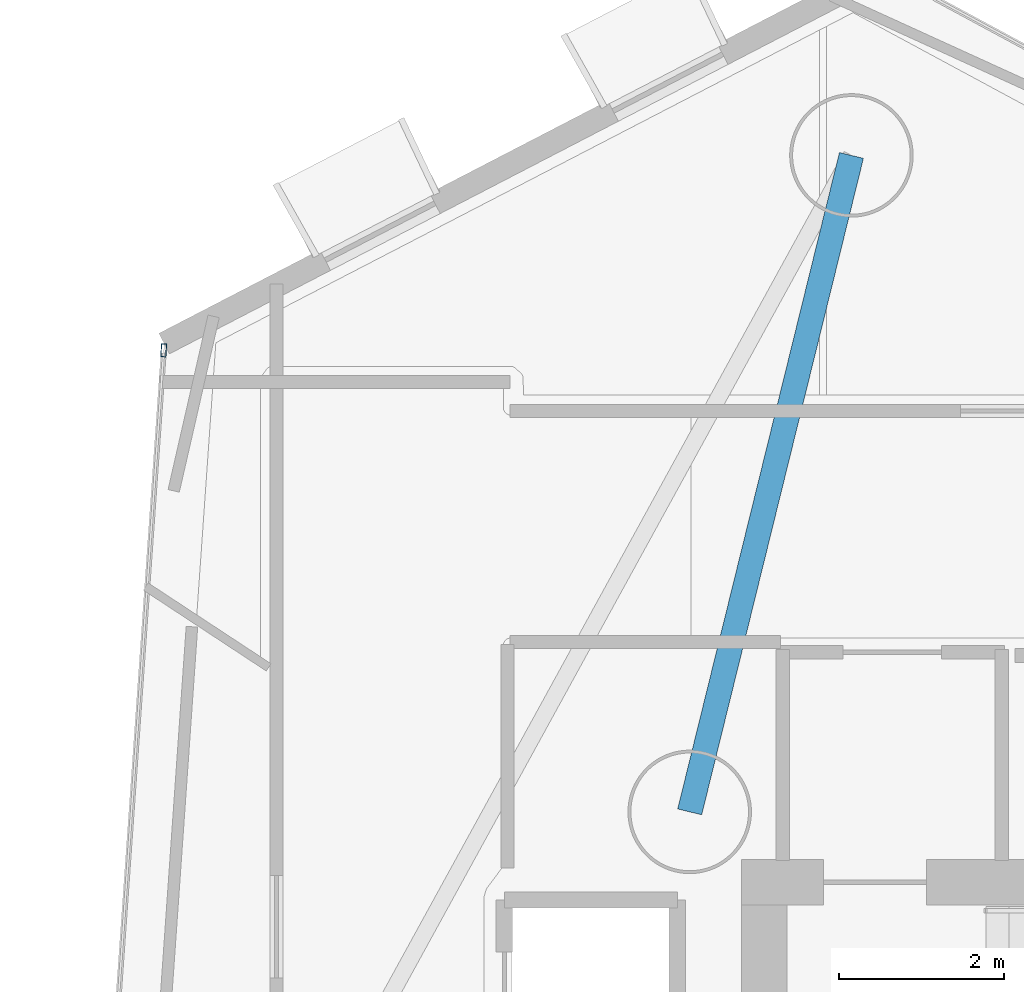
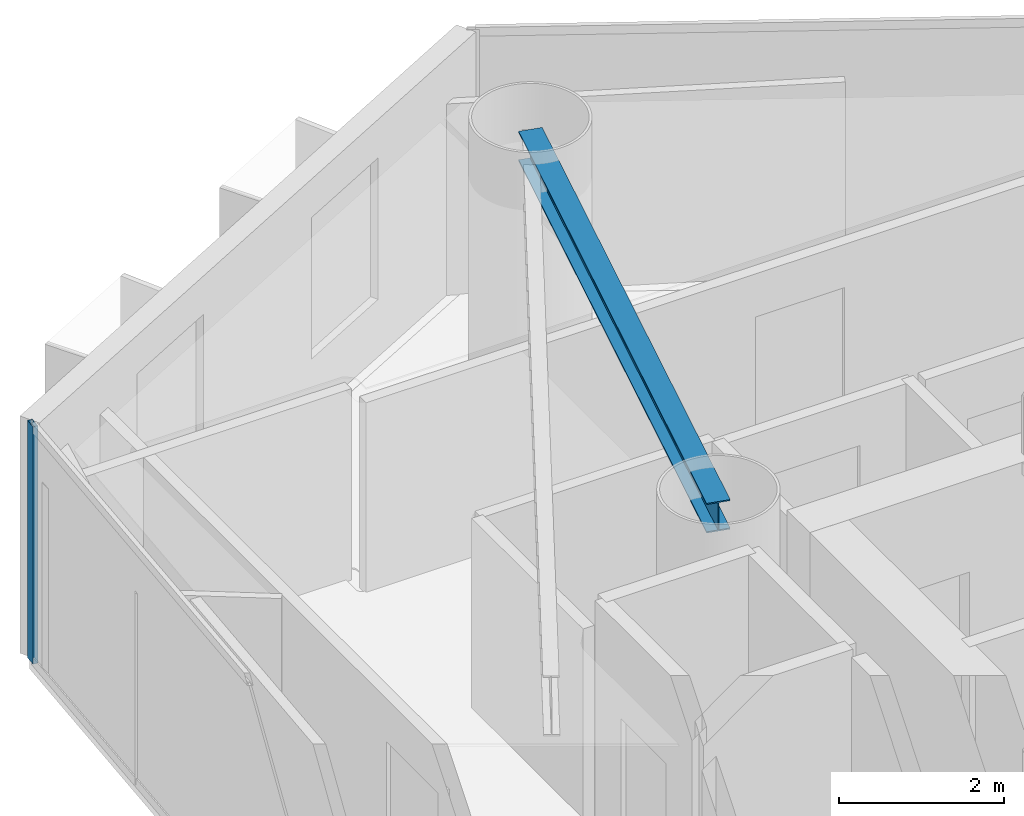
# One storey, part 9 of 21: 1 beam, 1 member, 1 element without a shape of its own.
"""IFC4 building model written with IfcOpenShell, lengths in metres."""

from ifc_helpers import new_model, si_unit, direction, frame, origin, origin_2d, place, context, subcontext, project, spatial, hollow_rectangle, i_section, extrude, material, layer, layer_set, material_profile, profile_set, type_object, element, aggregate, save


model = new_model("IFC4")

# Units and contexts
model_context = context("Model", 3, precision=1e-05, world=origin(), true_north=direction((0.0, 1.0)))
body_context = subcontext(model_context, "Body", "Model", "MODEL_VIEW")
ifc_project = project(units=[si_unit("LENGTHUNIT", "METRE"), si_unit("AREAUNIT", "SQUARE_METRE"), si_unit("VOLUMEUNIT", "CUBIC_METRE"), si_unit("PLANEANGLEUNIT", "RADIAN"), si_unit("MASSUNIT", "GRAM", prefix="KILO")], contexts=[model_context])

# Site, building, storey
site_placement = place(None, origin())
site = spatial("IfcSite", under=ifc_project, at=site_placement, CompositionType="ELEMENT")
building_placement = place(site_placement, origin())
building = spatial("IfcBuilding", under=site, at=building_placement, Name="Qianvela Tower", CompositionType="ELEMENT")
storey_placement = place(building_placement, frame((0.0, 0.0, 127.39990234375)))
storey = spatial("IfcBuildingStorey", under=building, at=storey_placement, Name="L32", CompositionType="ELEMENT", Elevation=127.39990234375)

# Beam
ifc_material_1 = material(Name="Steel Q355B", Category="steel")
ifc_material_profile_1 = material_profile(ifc_material_1, i_section(OverallWidth=0.300048828125, OverallDepth=0.43994140625, WebThickness=0.010986328125, FlangeThickness=0.01806640625, at=origin_2d()), Name="HM440x300x11x18")
ifc_profile_set_1 = profile_set([ifc_material_profile_1], Name="Steel Q355B")
beam_type = type_object("IfcBeamType", Name="BM-HM440-COLL", PredefinedType="BEAM", material=ifc_profile_set_1)
beam_placement = place(storey_placement, frame((28.60009765625, 33.550048828125, 3.298095703125), z_axis=(0.239224384232, 0.970964311388, 0.0), x_axis=(-0.970964311388, 0.239224384232, 0.0)))
element("IfcBeam", 1, at=beam_placement, inside=storey, type_object=beam_type, Name="L32 Perimeter Ring Tie Girder 2B", PredefinedType="BEAM", context=body_context, shape_type="SweptSolid", body=[
    extrude(i_section(OverallWidth=0.300048828125, OverallDepth=0.43994140625, WebThickness=0.010986328125, FlangeThickness=0.01806640625, at=origin_2d()), origin(), (0.0, 0.0, 1.0), 8.209228515625),
])

# Curtain wall, member
ifc_material_2 = material(Name="Anodised Architectural Aluminium and Low-E Glass", Category="aluminium")
ifc_layer = layer(ifc_material_2, 0.169921875)
ifc_layer_set = layer_set([ifc_layer], Name="Anodised Architectural Aluminium and Low-E Glass")
curtain_wall_type = type_object("IfcCurtainWallType", Name="CW-COLIV-Z34", PredefinedType="USERDEFINED", material=ifc_layer_set)
curtain_wall_placement = place(storey_placement, origin())
curtain_wall = element("IfcCurtainWall", 2, at=curtain_wall_placement, inside=storey, type_object=curtain_wall_type, Name="L32 CW-COLIV-Z34 Curtain Wall 04A", ObjectType="CURTAIN_WALL_SYSTEM", PredefinedType="USERDEFINED")
ifc_material_3 = material(Name="Anodised Architectural Aluminium 6063-T6", Category="aluminium")
ifc_material_profile_2 = material_profile(ifc_material_3, hollow_rectangle(XDim=0.06494140625, YDim=0.159912109375, WallThickness=0.0048828125, at=origin_2d()), Name="ALU-MULL-65x160")
ifc_profile_set_2 = profile_set([ifc_material_profile_2], Name="Anodised Architectural Aluminium 6063-T6")
member_type = type_object("IfcMemberType", Name="CW-COLIV-Z34-MULL", PredefinedType="MULLION", material=ifc_profile_set_2)
member_placement = place(storey_placement, frame((22.213134765625, 39.154296875, 0.0), z_axis=(0.0, 0.0, 1.0), x_axis=(0.997564346906, -0.069752231381, 0.0)))
member = element("IfcMember", 3, at=member_placement, type_object=member_type, Name="CW-4 mullion 1", PredefinedType="MULLION", context=body_context, shape_type="SweptSolid", body=[
    extrude(hollow_rectangle(XDim=0.06494140625, YDim=0.159912109375, WallThickness=0.0048828125, at=origin_2d()), origin(), (0.0, 0.0, 1.0), 3.52001953125),
])
aggregate(curtain_wall, [member])

save(model, "model.ifc")
